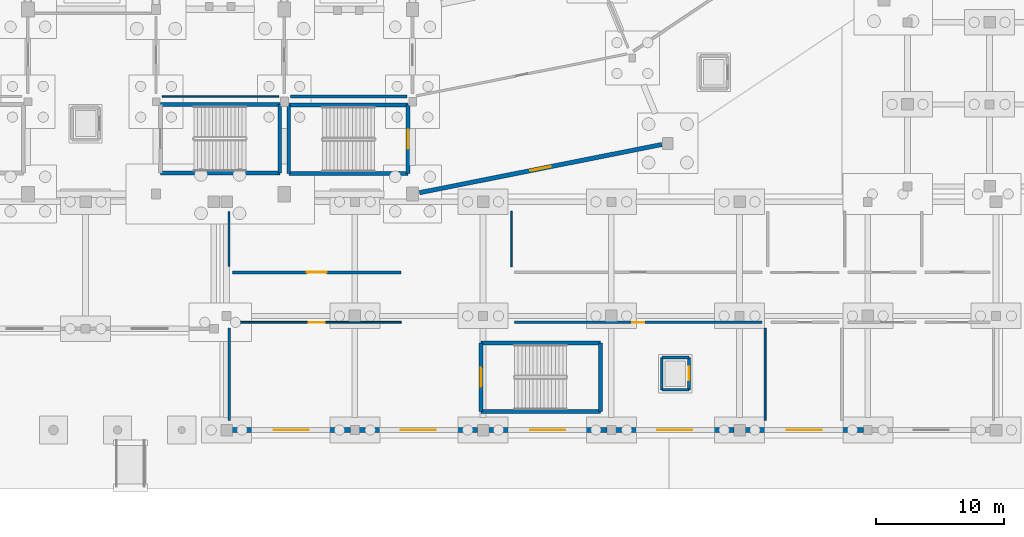
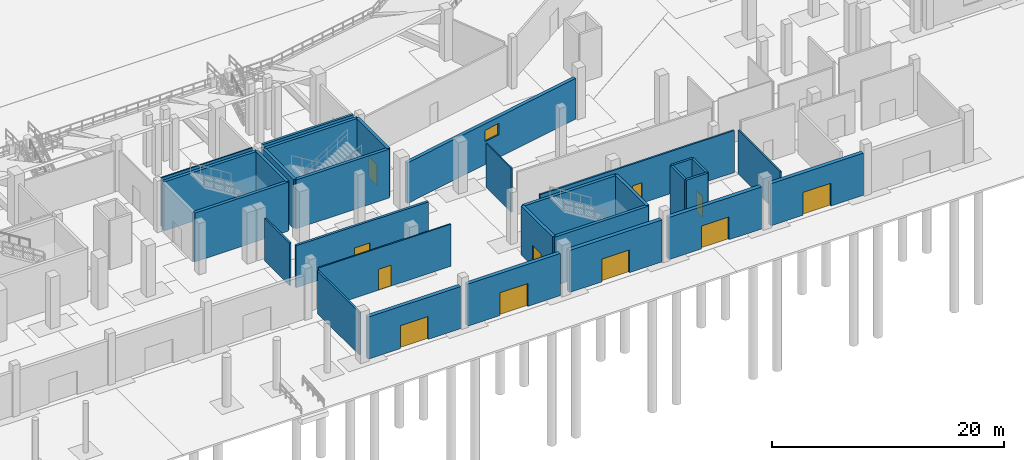
# One storey, part 31 of 68: 30 walls, 11 doors, 1 window, 12 openings.
"""IFC4 building model written with IfcOpenShell, lengths in metres."""

from ifc_helpers import new_model, si_unit, direction, frame, frame_2d, origin, place, context, subcontext, project, spatial, rectangle, extrude, material, layer, layer_set, type_object, element, fill, save


model = new_model("IFC4")

# Units and contexts
model_context = context("Model", 3, precision=1e-05, world=origin(), true_north=direction((0.0, 1.0)))
body_context = subcontext(model_context, "Body", "Model", "MODEL_VIEW")
ifc_project = project(units=[si_unit("LENGTHUNIT", "METRE"), si_unit("AREAUNIT", "SQUARE_METRE"), si_unit("VOLUMEUNIT", "CUBIC_METRE"), si_unit("PLANEANGLEUNIT", "RADIAN"), si_unit("MASSUNIT", "GRAM", prefix="KILO")], contexts=[model_context])

# Site, building, storey
site_placement = place(None, origin())
site = spatial("IfcSite", under=ifc_project, at=site_placement, CompositionType="ELEMENT")
building_placement = place(site_placement, origin())
building = spatial("IfcBuilding", under=site, at=building_placement, Name="Candeia Ridge Stadium", CompositionType="ELEMENT")
storey_placement = place(building_placement, origin())
storey = spatial("IfcBuildingStorey", under=building, at=storey_placement, Name="L00", CompositionType="ELEMENT", Elevation=0.0)

# Walls
ifc_material_1 = material(Name="Concrete Masonry Blockwork C25/30", Category="masonry")
ifc_layer_1 = layer(ifc_material_1, 0.14990234375, Name="Concrete Masonry Blockwork C25/30", Category="masonry")
ifc_layer_set_1 = layer_set([ifc_layer_1], Name="Concrete Masonry Blockwork C25/30")
wall_type_1 = type_object("IfcWallType", Name="Concourse Kiosk Partition 150", PredefinedType="PARTITIONING", material=ifc_layer_set_1)
wall_1_placement = place(storey_placement, frame((168.5, 8.550048828125, 0.0), z_axis=(0.0, 0.0, 1.0), x_axis=(0.0, -1.0, 0.0)))
element("IfcWall", 1, at=wall_1_placement, inside=storey, type_object=wall_type_1, Name="Demising partition PT-L00-0069", PredefinedType="PARTITIONING", context=body_context, shape_type="SweptSolid", body=[
    extrude(rectangle(XDim=7.199951171875, YDim=0.14990234375, at=frame_2d((3.60009765625, 0.0))), origin(), (0.0, 0.0, 1.0), 4.625),
])
ifc_material_2 = material(Name="Concrete C45/55", Category="concrete")
ifc_layer_2 = layer(ifc_material_2, 0.300048828125, Name="Concrete C45/55", Category="concrete")
ifc_layer_set_2 = layer_set([ifc_layer_2], Name="Concrete C45/55")
wall_type_2 = type_object("IfcWallType", Name="Core Shear Wall Concrete 300", PredefinedType="SHEAR", material=ifc_layer_set_2)
wall_2_placement = place(storey_placement, frame((140.649658203125, 25.94970703125, 0.0), z_axis=(0.0, 0.0, 1.0), x_axis=(-1.0, 0.0, 0.0)))
element("IfcWall", 2, at=wall_2_placement, inside=storey, type_object=wall_type_2, Name="Core C03 left shear wall L00", PredefinedType="SHEAR", context=body_context, shape_type="SweptSolid", body=[
    extrude(rectangle(XDim=9.29931640625, YDim=0.300048828125, at=frame_2d((4.649658203125, 0.0))), origin(), (0.0, 0.0, 1.0), 5.139892578125),
])
wall_3_placement = place(storey_placement, frame((131.350341796875, 25.94970703125, 0.0), z_axis=(0.0, 0.0, 1.0), x_axis=(0.0, -1.0, 0.0)))
element("IfcWall", 3, at=wall_3_placement, inside=storey, type_object=wall_type_2, Name="Core C03 far shear wall L00", PredefinedType="SHEAR", context=body_context, shape_type="SweptSolid", body=[
    extrude(rectangle(XDim=5.349365234375, YDim=0.300048828125, at=frame_2d((2.6748046875, 0.0))), origin(), (0.0, 0.0, 1.0), 5.139892578125),
])
wall_4_placement = place(storey_placement, frame((131.350341796875, 20.600341796875, 0.0), z_axis=(0.0, 0.0, 1.0), x_axis=(1.0, 0.0, 0.0)))
element("IfcWall", 4, at=wall_4_placement, inside=storey, type_object=wall_type_2, Name="Core C03 right shear wall L00", PredefinedType="SHEAR", context=body_context, shape_type="SweptSolid", body=[
    extrude(rectangle(XDim=9.29931640625, YDim=0.300048828125, at=frame_2d((4.649658203125, 0.0))), origin(), (0.0, 0.0, 1.0), 5.139892578125),
])

# Wall, opening, door
wall_5_placement = place(storey_placement, frame((140.649658203125, 20.600341796875, 0.0), z_axis=(0.0, 0.0, 1.0), x_axis=(0.0, 1.0, 0.0)))
wall_5 = element("IfcWall", 5, at=wall_5_placement, inside=storey, type_object=wall_type_2, Name="Core C03 near shear wall L00", PredefinedType="SHEAR", context=body_context, shape_type="SweptSolid", body=[
    extrude(rectangle(XDim=5.349365234375, YDim=0.300048828125, at=frame_2d((2.6748046875, 0.0))), origin(), (0.0, 0.0, 1.0), 5.139892578125),
])
opening_1_placement = place(wall_5_placement, frame((1.924560546875, 0.0, 0.0)))
opening_1 = element("IfcOpeningElement", 6, at=opening_1_placement, cuts=wall_5, Name="Opening FD01", PredefinedType="OPENING", context=body_context, shape_type="SweptSolid", body=[
    extrude(rectangle(XDim=1.5, YDim=2.199951171875, at=frame_2d((0.75, 1.10009765625))), frame((0.0, 0.159912109375, 0.0), z_axis=(0.0, -1.0, 0.0), x_axis=(1.0, 0.0, 0.0)), (0.0, 0.0, 1.0), 0.320068359375),
])
ifc_material_3 = material(Name="Galvanized Fire-Rated Steel", Category="steel")
door_type_1 = type_object("IfcDoorType", Name="Exit Stair Core Fire Door 1500x2200", OperationType="NOTDEFINED", PredefinedType="DOOR", material=ifc_material_3)
door_1_placement = place(opening_1_placement, frame((1.5, 0.0, 0.0), z_axis=(0.0, 0.0, 1.0), x_axis=(-1.0, 0.0, 0.0)))
door_1 = element("IfcDoor", 7, at=door_1_placement, inside=storey, type_object=door_type_1, Name="Exit stair fire door SD-ST03-L00", OperationType="DOUBLE_DOOR_SINGLE_SWING", OverallHeight=2.199951171875, OverallWidth=1.5, PredefinedType="DOOR", context=body_context, shape_type="SweptSolid", body=[
    extrude(rectangle(XDim=1.5, YDim=2.199951171875, at=frame_2d((0.75, 1.10009765625))), frame((0.0, 0.02490234375, 0.0), z_axis=(0.0, -1.0, 0.0), x_axis=(1.0, 0.0, 0.0)), (0.0, 0.0, 1.0), 0.050048828125),
])
fill(opening_1, door_1)

# Walls
wall_6_placement = place(storey_placement, frame((121.350341796875, 20.650390625, 0.0), z_axis=(0.0, 0.0, 1.0), x_axis=(1.0, 0.0, 0.0)))
element("IfcWall", 8, at=wall_6_placement, inside=storey, type_object=wall_type_2, Name="Core C12 left shear wall L00", PredefinedType="SHEAR", context=body_context, shape_type="SweptSolid", body=[
    extrude(rectangle(XDim=9.29931640625, YDim=0.300048828125, at=frame_2d((4.649658203125, 0.0))), origin(), (0.0, 0.0, 1.0), 5.139892578125),
])
wall_7_placement = place(storey_placement, frame((130.649658203125, 20.650390625, 0.0), z_axis=(0.0, 0.0, 1.0), x_axis=(0.0, 1.0, 0.0)))
element("IfcWall", 9, at=wall_7_placement, inside=storey, type_object=wall_type_2, Name="Core C12 far shear wall L00", PredefinedType="SHEAR", context=body_context, shape_type="SweptSolid", body=[
    extrude(rectangle(XDim=5.34912109375, YDim=0.300048828125, at=frame_2d((2.674560546875, 0.0))), origin(), (0.0, 0.0, 1.0), 5.139892578125),
])
for number, where, z_axis, x_axis, name in (
    (10, (130.649658203125, 25.99951171875, 0.0), (0.0, 0.0, 1.0), (-1.0, 0.0, 0.0), "Core C12 right shear wall L00"),
    (11, (146.350341796875, 2.05029296875, 0.0), (0.0, 0.0, 1.0), (1.0, 0.0, 0.0), "Core C14 left shear wall L00"),
):
    element("IfcWall", number, at=place(storey_placement, frame(where, z_axis=z_axis, x_axis=x_axis)), inside=storey, type_object=wall_type_2, Name=name, PredefinedType="SHEAR", context=body_context, shape_type="SweptSolid", body=[
        extrude(rectangle(XDim=9.29931640625, YDim=0.300048828125, at=frame_2d((4.649658203125, 0.0))), origin(), (0.0, 0.0, 1.0), 5.139892578125),
    ])
wall_8_placement = place(storey_placement, frame((155.649658203125, 2.05029296875, 0.0), z_axis=(0.0, 0.0, 1.0), x_axis=(0.0, 1.0, 0.0)))
element("IfcWall", 12, at=wall_8_placement, inside=storey, type_object=wall_type_2, Name="Core C14 far shear wall L00", PredefinedType="SHEAR", context=body_context, shape_type="SweptSolid", body=[
    extrude(rectangle(XDim=5.349365234375, YDim=0.300048828125, at=frame_2d((2.6748046875, 0.0))), origin(), (0.0, 0.0, 1.0), 5.139892578125),
])
wall_9_placement = place(storey_placement, frame((155.649658203125, 7.399658203125, 0.0), z_axis=(0.0, 0.0, 1.0), x_axis=(-1.0, 0.0, 0.0)))
element("IfcWall", 13, at=wall_9_placement, inside=storey, type_object=wall_type_2, Name="Core C14 right shear wall L00", PredefinedType="SHEAR", context=body_context, shape_type="SweptSolid", body=[
    extrude(rectangle(XDim=9.29931640625, YDim=0.300048828125, at=frame_2d((4.649658203125, 0.0))), origin(), (0.0, 0.0, 1.0), 5.139892578125),
])

# Wall, opening, door
wall_10_placement = place(storey_placement, frame((146.350341796875, 7.399658203125, 0.0), z_axis=(0.0, 0.0, 1.0), x_axis=(0.0, -1.0, 0.0)))
wall_10 = element("IfcWall", 14, at=wall_10_placement, inside=storey, type_object=wall_type_2, Name="Core C14 near shear wall L00", PredefinedType="SHEAR", context=body_context, shape_type="SweptSolid", body=[
    extrude(rectangle(XDim=5.349365234375, YDim=0.300048828125, at=frame_2d((2.6748046875, 0.0))), origin(), (0.0, 0.0, 1.0), 5.139892578125),
])
opening_2_placement = place(wall_10_placement, frame((1.924560546875, 0.0, 0.0)))
opening_2 = element("IfcOpeningElement", 15, at=opening_2_placement, cuts=wall_10, Name="Opening FD01", PredefinedType="OPENING", context=body_context, shape_type="SweptSolid", body=[
    extrude(rectangle(XDim=1.5, YDim=2.199951171875, at=frame_2d((0.75, 1.10009765625))), frame((0.0, 0.159912109375, 0.0), z_axis=(0.0, -1.0, 0.0), x_axis=(1.0, 0.0, 0.0)), (0.0, 0.0, 1.0), 0.320068359375),
])
door_2_placement = place(opening_2_placement, frame((1.5, 0.0, 0.0), z_axis=(0.0, 0.0, 1.0), x_axis=(-1.0, 0.0, 0.0)))
door_2 = element("IfcDoor", 16, at=door_2_placement, inside=storey, type_object=door_type_1, Name="Exit stair fire door SD-ST14-L00", OperationType="DOUBLE_DOOR_SINGLE_SWING", OverallHeight=2.199951171875, OverallWidth=1.5, PredefinedType="DOOR", context=body_context, shape_type="SweptSolid", body=[
    extrude(rectangle(XDim=1.5, YDim=2.199951171875, at=frame_2d((0.75, 1.10009765625))), frame((0.0, 0.02490234375, 0.0), z_axis=(0.0, -1.0, 0.0), x_axis=(1.0, 0.0, 0.0)), (0.0, 0.0, 1.0), 0.050048828125),
])
fill(opening_2, door_2)

ifc_material_4 = material(Name="Moisture-Resistant Masonry & Tile", Category="masonry")
ifc_layer_3 = layer(ifc_material_4, 0.22998046875, Name="Moisture-Resistant Masonry & Tile", Category="masonry")
ifc_layer_set_3 = layer_set([ifc_layer_3], Name="Moisture-Resistant Masonry & Tile")
wall_type_3 = type_object("IfcWallType", Name="Dressing Suite Wet-Wall Chase 230", PredefinedType="PLUMBINGWALL", material=ifc_layer_set_3)
wall_11_placement = place(storey_placement, frame((140.110107421875, 12.89990234375, 0.0), z_axis=(0.0, 0.0, 1.0), x_axis=(-1.0, 0.0, 0.0)))
wall_11 = element("IfcWall", 17, at=wall_11_placement, inside=storey, type_object=wall_type_3, Name="Interior partition PT-L00-0066", PredefinedType="PLUMBINGWALL", context=body_context, shape_type="SweptSolid", body=[
    extrude(rectangle(XDim=13.16015625, YDim=0.22998046875, at=frame_2d((6.580078125, 0.0))), origin(), (0.0, 0.0, 1.0), 4.425048828125),
])
opening_3_placement = place(wall_11_placement, frame((5.804931640625, 0.0, 0.0)))
opening_3 = element("IfcOpeningElement", 18, at=opening_3_placement, cuts=wall_11, Name="Opening ID14", PredefinedType="OPENING", context=body_context, shape_type="SweptSolid", body=[
    extrude(rectangle(XDim=1.550048828125, YDim=2.14990234375, at=frame_2d((0.77490234375, 1.074951171875))), frame((0.0, 0.125, 0.0), z_axis=(0.0, -1.0, 0.0), x_axis=(1.0, 0.0, 0.0)), (0.0, 0.0, 1.0), 0.25),
])
ifc_material_5 = material(Name="Brushed Stainless Steel", Category="steel")
door_type_2 = type_object("IfcDoorType", Name="Catering Kitchen Double Door 1550x2150", OperationType="NOTDEFINED", PredefinedType="DOOR", material=ifc_material_5)
door_3_placement = place(opening_3_placement, origin())
door_3 = element("IfcDoor", 19, at=door_3_placement, inside=storey, type_object=door_type_2, Name="Interior room door D-L00-0036", OperationType="DOUBLE_DOOR_SINGLE_SWING", OverallHeight=2.14990234375, OverallWidth=1.550048828125, PredefinedType="DOOR", context=body_context, shape_type="SweptSolid", body=[
    extrude(rectangle(XDim=1.550048828125, YDim=2.14990234375, at=frame_2d((0.77490234375, 1.074951171875))), frame((0.0, 0.02490234375, 0.0), z_axis=(0.0, -1.0, 0.0), x_axis=(1.0, 0.0, 0.0)), (0.0, 0.0, 1.0), 0.050048828125),
])
fill(opening_3, door_3)

# Wall
wall_12_placement = place(storey_placement, frame((140.550048828125, 26.60009765625, 0.0), z_axis=(0.0, 0.0, 1.0), x_axis=(-1.0, 0.0, 0.0)))
element("IfcWall", 20, at=wall_12_placement, inside=storey, type_object=wall_type_3, Name="Demising partition PT-L00-0157", PredefinedType="PLUMBINGWALL", context=body_context, shape_type="SweptSolid", body=[
    extrude(rectangle(XDim=9.06005859375, YDim=0.22998046875, at=frame_2d((4.530029296875, 0.0))), origin(), (0.0, 0.0, 1.0), 5.1201171875),
])

# Wall, opening, window
ifc_material_6 = material(Name="Concrete C40/50", Category="concrete")
ifc_layer_4 = layer(ifc_material_6, 0.340087890625, Name="Concrete C40/50", Category="concrete")
ifc_layer_set_4 = layer_set([ifc_layer_4], Name="Concrete C40/50")
wall_type_4 = type_object("IfcWallType", Name="Exterior Acoustic Bowl Plinth Wall 340", PredefinedType="SOLIDWALL", material=ifc_layer_set_4)
wall_13_placement = place(storey_placement, frame((141.55029296875, 19.109619140625, 0.0), z_axis=(0.0, 0.0, 1.0), x_axis=(0.980787488403, 0.195079221324, 0.0)))
wall_13 = element("IfcWall", 21, at=wall_13_placement, inside=storey, type_object=wall_type_4, Name="Bowl plinth exterior wall EW-L00-0005", PredefinedType="SOLIDWALL", context=body_context, shape_type="SweptSolid", body=[
    extrude(rectangle(XDim=19.24560546875, YDim=0.340087890625, at=frame_2d((9.622802734375, 0.0))), origin(), (0.0, 0.0, 1.0), 4.27490234375),
])
opening_4_placement = place(wall_13_placement, frame((8.82275390625, 0.0, 2.39990234375)))
opening_4 = element("IfcOpeningElement", 22, at=opening_4_placement, cuts=wall_13, Name="Opening W15", PredefinedType="OPENING", context=body_context, shape_type="SweptSolid", body=[
    extrude(rectangle(XDim=1.60009765625, YDim=1.199951171875, at=frame_2d((0.800048828125, 0.60009765625))), frame((0.0, 0.179931640625, 0.0), z_axis=(0.0, -1.0, 0.0), x_axis=(1.0, 0.0, 0.0)), (0.0, 0.0, 1.0), 0.360107421875),
])
ifc_material_7 = material(Name="Tempered Solar-Control Double Glazing", Category="glass")
window_type = type_object("IfcWindowType", Name="Plant Acoustic Louvre Window 1600x1200", PartitioningType="SINGLE_PANEL", PredefinedType="WINDOW", material=ifc_material_7)
window_placement = place(opening_4_placement, origin())
window = element("IfcWindow", 23, at=window_placement, inside=storey, type_object=window_type, Name="Bowl plinth louvre window WIN-BWL-005", OverallHeight=1.199951171875, OverallWidth=1.60009765625, PartitioningType="SINGLE_PANEL", PredefinedType="WINDOW", context=body_context, shape_type="SweptSolid", body=[
    extrude(rectangle(XDim=1.60009765625, YDim=1.199951171875, at=frame_2d((0.800048828125, 0.60009765625))), frame((0.0, 0.030029296875, 0.0), z_axis=(0.0, -1.0, 0.0), x_axis=(1.0, 0.0, 0.0)), (0.0, 0.0, 1.0), 0.06005859375),
])
fill(opening_4, window)

# Wall, opening, door
ifc_layer_5 = layer(ifc_material_6, 0.3798828125, Name="Concrete C40/50", Category="concrete")
ifc_layer_set_5 = layer_set([ifc_layer_5], Name="Concrete C40/50")
wall_type_5 = type_object("IfcWallType", Name="Exterior Museum Gallery Wall 380", PredefinedType="SOLIDWALL", material=ifc_layer_set_5)
wall_14_placement = place(storey_placement, frame((126.93798828125, 0.60009765625, 0.0), z_axis=(0.0, 0.0, 1.0), x_axis=(1.0, 0.0, 0.0)))
wall_14 = element("IfcWall", 24, at=wall_14_placement, inside=storey, type_object=wall_type_5, Name="Exterior facade wall EW-L00-0160", PredefinedType="SOLIDWALL", context=body_context, shape_type="SweptSolid", body=[
    extrude(rectangle(XDim=9.22412109375, YDim=0.3798828125, at=frame_2d((4.612060546875, 0.0))), origin(), (0.0, 0.0, 1.0), 4.425048828125),
])
opening_5_placement = place(wall_14_placement, frame((3.237060546875, 0.0, 0.0)))
opening_5 = element("IfcOpeningElement", 25, at=opening_5_placement, cuts=wall_14, Name="Opening ED01", PredefinedType="OPENING", context=body_context, shape_type="SweptSolid", body=[
    extrude(rectangle(XDim=2.75, YDim=2.39990234375, at=frame_2d((1.375, 1.199951171875))), frame((0.0, 0.199951171875, 0.0), z_axis=(0.0, -1.0, 0.0), x_axis=(1.0, 0.0, 0.0)), (0.0, 0.0, 1.0), 0.39990234375),
])
ifc_material_8 = material(Name="Aluminium Anodized Glazed Door", Category="aluminium")
door_type_3 = type_object("IfcDoorType", Name="Pedestrian Exit Double Door 2750x2400", OperationType="NOTDEFINED", PredefinedType="DOOR", material=ifc_material_8)
door_4_placement = place(opening_5_placement, frame((2.75, 0.0, 0.0), z_axis=(0.0, 0.0, 1.0), x_axis=(-1.0, 0.0, 0.0)))
door_4 = element("IfcDoor", 26, at=door_4_placement, inside=storey, type_object=door_type_3, Name="Pedestrian exit gate G21", OperationType="DOUBLE_DOOR_SINGLE_SWING", OverallHeight=2.39990234375, OverallWidth=2.75, PredefinedType="DOOR", context=body_context, shape_type="SweptSolid", body=[
    extrude(rectangle(XDim=2.75, YDim=2.39990234375, at=frame_2d((1.375, 1.199951171875))), frame((0.0, 0.02490234375, 0.0), z_axis=(0.0, -1.0, 0.0), x_axis=(1.0, 0.0, 0.0)), (0.0, 0.0, 1.0), 0.050048828125),
])
fill(opening_5, door_4)

wall_15_placement = place(storey_placement, frame((136.837890625, 0.60009765625, 0.0), z_axis=(0.0, 0.0, 1.0), x_axis=(1.0, 0.0, 0.0)))
wall_15 = element("IfcWall", 27, at=wall_15_placement, inside=storey, type_object=wall_type_5, Name="Exterior facade wall EW-L00-0161", PredefinedType="SOLIDWALL", context=body_context, shape_type="SweptSolid", body=[
    extrude(rectangle(XDim=9.22412109375, YDim=0.3798828125, at=frame_2d((4.612060546875, 0.0))), origin(), (0.0, 0.0, 1.0), 4.425048828125),
])
opening_6_placement = place(wall_15_placement, frame((3.237060546875, 0.0, 0.0)))
opening_6 = element("IfcOpeningElement", 28, at=opening_6_placement, cuts=wall_15, Name="Opening ED01", PredefinedType="OPENING", context=body_context, shape_type="SweptSolid", body=[
    extrude(rectangle(XDim=2.75, YDim=2.39990234375, at=frame_2d((1.375, 1.199951171875))), frame((0.0, 0.199951171875, 0.0), z_axis=(0.0, -1.0, 0.0), x_axis=(1.0, 0.0, 0.0)), (0.0, 0.0, 1.0), 0.39990234375),
])
door_5_placement = place(opening_6_placement, frame((2.75, 0.0, 0.0), z_axis=(0.0, 0.0, 1.0), x_axis=(-1.0, 0.0, 0.0)))
door_5 = element("IfcDoor", 29, at=door_5_placement, inside=storey, type_object=door_type_3, Name="Pedestrian exit gate G22", OperationType="DOUBLE_DOOR_SINGLE_SWING", OverallHeight=2.39990234375, OverallWidth=2.75, PredefinedType="DOOR", context=body_context, shape_type="SweptSolid", body=[
    extrude(rectangle(XDim=2.75, YDim=2.39990234375, at=frame_2d((1.375, 1.199951171875))), frame((0.0, 0.02490234375, 0.0), z_axis=(0.0, -1.0, 0.0), x_axis=(1.0, 0.0, 0.0)), (0.0, 0.0, 1.0), 0.050048828125),
])
fill(opening_6, door_5)

wall_16_placement = place(storey_placement, frame((146.93798828125, 0.60009765625, 0.0), z_axis=(0.0, 0.0, 1.0), x_axis=(1.0, 0.0, 0.0)))
wall_16 = element("IfcWall", 30, at=wall_16_placement, inside=storey, type_object=wall_type_5, Name="Exterior facade wall EW-L00-0162", PredefinedType="SOLIDWALL", context=body_context, shape_type="SweptSolid", body=[
    extrude(rectangle(XDim=9.22412109375, YDim=0.3798828125, at=frame_2d((4.612060546875, 0.0))), origin(), (0.0, 0.0, 1.0), 4.425048828125),
])
opening_7_placement = place(wall_16_placement, frame((3.237060546875, 0.0, 0.0)))
opening_7 = element("IfcOpeningElement", 31, at=opening_7_placement, cuts=wall_16, Name="Opening ED01", PredefinedType="OPENING", context=body_context, shape_type="SweptSolid", body=[
    extrude(rectangle(XDim=2.75, YDim=2.39990234375, at=frame_2d((1.375, 1.199951171875))), frame((0.0, 0.199951171875, 0.0), z_axis=(0.0, -1.0, 0.0), x_axis=(1.0, 0.0, 0.0)), (0.0, 0.0, 1.0), 0.39990234375),
])
door_6_placement = place(opening_7_placement, frame((2.75, 0.0, 0.0), z_axis=(0.0, 0.0, 1.0), x_axis=(-1.0, 0.0, 0.0)))
door_6 = element("IfcDoor", 32, at=door_6_placement, inside=storey, type_object=door_type_3, Name="Pedestrian exit gate G23", OperationType="DOUBLE_DOOR_SINGLE_SWING", OverallHeight=2.39990234375, OverallWidth=2.75, PredefinedType="DOOR", context=body_context, shape_type="SweptSolid", body=[
    extrude(rectangle(XDim=2.75, YDim=2.39990234375, at=frame_2d((1.375, 1.199951171875))), frame((0.0, 0.02490234375, 0.0), z_axis=(0.0, -1.0, 0.0), x_axis=(1.0, 0.0, 0.0)), (0.0, 0.0, 1.0), 0.050048828125),
])
fill(opening_7, door_6)

wall_17_placement = place(storey_placement, frame((156.837890625, 0.60009765625, 0.0), z_axis=(0.0, 0.0, 1.0), x_axis=(1.0, 0.0, 0.0)))
wall_17 = element("IfcWall", 33, at=wall_17_placement, inside=storey, type_object=wall_type_5, Name="Exterior facade wall EW-L00-0163", PredefinedType="SOLIDWALL", context=body_context, shape_type="SweptSolid", body=[
    extrude(rectangle(XDim=9.22412109375, YDim=0.3798828125, at=frame_2d((4.612060546875, 0.0))), origin(), (0.0, 0.0, 1.0), 4.425048828125),
])
opening_8_placement = place(wall_17_placement, frame((3.237060546875, 0.0, 0.0)))
opening_8 = element("IfcOpeningElement", 34, at=opening_8_placement, cuts=wall_17, Name="Opening ED01", PredefinedType="OPENING", context=body_context, shape_type="SweptSolid", body=[
    extrude(rectangle(XDim=2.75, YDim=2.39990234375, at=frame_2d((1.375, 1.199951171875))), frame((0.0, 0.199951171875, 0.0), z_axis=(0.0, -1.0, 0.0), x_axis=(1.0, 0.0, 0.0)), (0.0, 0.0, 1.0), 0.39990234375),
])
door_7_placement = place(opening_8_placement, frame((2.75, 0.0, 0.0), z_axis=(0.0, 0.0, 1.0), x_axis=(-1.0, 0.0, 0.0)))
door_7 = element("IfcDoor", 35, at=door_7_placement, inside=storey, type_object=door_type_3, Name="Pedestrian exit gate G24", OperationType="DOUBLE_DOOR_SINGLE_SWING", OverallHeight=2.39990234375, OverallWidth=2.75, PredefinedType="DOOR", context=body_context, shape_type="SweptSolid", body=[
    extrude(rectangle(XDim=2.75, YDim=2.39990234375, at=frame_2d((1.375, 1.199951171875))), frame((0.0, 0.02490234375, 0.0), z_axis=(0.0, -1.0, 0.0), x_axis=(1.0, 0.0, 0.0)), (0.0, 0.0, 1.0), 0.050048828125),
])
fill(opening_8, door_7)

wall_18_placement = place(storey_placement, frame((166.93798828125, 0.60009765625, 0.0), z_axis=(0.0, 0.0, 1.0), x_axis=(1.0, 0.0, 0.0)))
wall_18 = element("IfcWall", 36, at=wall_18_placement, inside=storey, type_object=wall_type_5, Name="Exterior facade wall EW-L00-0164", PredefinedType="SOLIDWALL", context=body_context, shape_type="SweptSolid", body=[
    extrude(rectangle(XDim=9.22412109375, YDim=0.3798828125, at=frame_2d((4.612060546875, 0.0))), origin(), (0.0, 0.0, 1.0), 4.425048828125),
])
opening_9_placement = place(wall_18_placement, frame((3.237060546875, 0.0, 0.0)))
opening_9 = element("IfcOpeningElement", 37, at=opening_9_placement, cuts=wall_18, Name="Opening ED01", PredefinedType="OPENING", context=body_context, shape_type="SweptSolid", body=[
    extrude(rectangle(XDim=2.75, YDim=2.39990234375, at=frame_2d((1.375, 1.199951171875))), frame((0.0, 0.199951171875, 0.0), z_axis=(0.0, -1.0, 0.0), x_axis=(1.0, 0.0, 0.0)), (0.0, 0.0, 1.0), 0.39990234375),
])
door_8_placement = place(opening_9_placement, frame((2.75, 0.0, 0.0), z_axis=(0.0, 0.0, 1.0), x_axis=(-1.0, 0.0, 0.0)))
door_8 = element("IfcDoor", 38, at=door_8_placement, inside=storey, type_object=door_type_3, Name="Pedestrian exit gate G25", OperationType="DOUBLE_DOOR_SINGLE_SWING", OverallHeight=2.39990234375, OverallWidth=2.75, PredefinedType="DOOR", context=body_context, shape_type="SweptSolid", body=[
    extrude(rectangle(XDim=2.75, YDim=2.39990234375, at=frame_2d((1.375, 1.199951171875))), frame((0.0, 0.02490234375, 0.0), z_axis=(0.0, -1.0, 0.0), x_axis=(1.0, 0.0, 0.0)), (0.0, 0.0, 1.0), 0.050048828125),
])
fill(opening_9, door_8)

ifc_material_9 = material(Name="Gypsum Metal-Stud Partition", Category="gypsum")
ifc_layer_6 = layer(ifc_material_9, 0.135009765625, Name="Gypsum Metal-Stud Partition", Category="gypsum")
ifc_layer_set_6 = layer_set([ifc_layer_6], Name="Gypsum Metal-Stud Partition")
wall_type_6 = type_object("IfcWallType", Name="General Room Partition 135", PredefinedType="PARTITIONING", material=ifc_layer_set_6)
wall_19_placement = place(storey_placement, frame((126.949951171875, 9.0, 0.0), z_axis=(0.0, 0.0, 1.0), x_axis=(1.0, 0.0, 0.0)))
wall_19 = element("IfcWall", 39, at=wall_19_placement, inside=storey, type_object=wall_type_6, Name="Interior partition PT-L00-0064", PredefinedType="PARTITIONING", context=body_context, shape_type="SweptSolid", body=[
    extrude(rectangle(XDim=13.16015625, YDim=0.135009765625, at=frame_2d((6.580078125, 0.0))), origin(), (0.0, 0.0, 1.0), 4.425048828125),
])
opening_10_placement = place(wall_19_placement, frame((5.955078125, 0.0, 0.0)))
opening_10 = element("IfcOpeningElement", 40, at=opening_10_placement, cuts=wall_19, Name="Opening ID11", PredefinedType="OPENING", context=body_context, shape_type="SweptSolid", body=[
    extrude(rectangle(XDim=1.25, YDim=2.199951171875, at=frame_2d((0.625, 1.10009765625))), frame((0.0, 0.077392578125, 0.0), z_axis=(0.0, -1.0, 0.0), x_axis=(1.0, 0.0, 0.0)), (0.0, 0.0, 1.0), 0.155029296875),
])
ifc_material_10 = material(Name="Acoustic Timber Studio Leaf", Category="wood")
door_type_4 = type_object("IfcDoorType", Name="Press Tribune Acoustic Door 1250x2200", OperationType="NOTDEFINED", PredefinedType="DOOR", material=ifc_material_10)
door_9_placement = place(opening_10_placement, frame((1.25, 0.0, 0.0), z_axis=(0.0, 0.0, 1.0), x_axis=(-1.0, 0.0, 0.0)))
door_9 = element("IfcDoor", 41, at=door_9_placement, inside=storey, type_object=door_type_4, Name="Interior room door D-L00-0035", OperationType="SINGLE_SWING_LEFT", OverallHeight=2.199951171875, OverallWidth=1.25, PredefinedType="DOOR", context=body_context, shape_type="SweptSolid", body=[
    extrude(rectangle(XDim=1.25, YDim=2.199951171875, at=frame_2d((0.625, 1.10009765625))), frame((0.0, 0.02490234375, 0.0), z_axis=(0.0, -1.0, 0.0), x_axis=(1.0, 0.0, 0.0)), (0.0, 0.0, 1.0), 0.050048828125),
])
fill(opening_10, door_9)

# Walls
ifc_material_11 = material(Name="Gypsum Acoustic Twin-Stud Assembly", Category="gypsum")
ifc_layer_7 = layer(ifc_material_11, 0.1650390625, Name="Gypsum Acoustic Twin-Stud Assembly", Category="gypsum")
ifc_layer_set_7 = layer_set([ifc_layer_7], Name="Gypsum Acoustic Twin-Stud Assembly")
wall_type_7 = type_object("IfcWallType", Name="Hospitality Suite Acoustic Wall 165", PredefinedType="PARTITIONING", material=ifc_layer_set_7)
wall_20_placement = place(storey_placement, frame((126.699951171875, 13.35009765625, 0.0), z_axis=(0.0, 0.0, 1.0), x_axis=(0.0, 1.0, 0.0)))
element("IfcWall", 42, at=wall_20_placement, inside=storey, type_object=wall_type_7, Name="Demising partition PT-L00-0067", PredefinedType="PARTITIONING", context=body_context, shape_type="SweptSolid", body=[
    extrude(rectangle(XDim=4.2998046875, YDim=0.1650390625, at=frame_2d((2.14990234375, 0.0))), origin(), (0.0, 0.0, 1.0), 4.47509765625),
])
ifc_layer_8 = layer(ifc_material_6, 0.219970703125, Name="Concrete C40/50", Category="concrete")
ifc_layer_set_8 = layer_set([ifc_layer_8], Name="Concrete C40/50")
wall_type_8 = type_object("IfcWallType", Name="Lift & Riser Shaft Wall 220", PredefinedType="SHEAR", material=ifc_layer_set_8)
wall_21_placement = place(storey_placement, frame((160.43994140625, 3.739990234375, -1.10009765625), z_axis=(0.0, 0.0, 1.0), x_axis=(1.0, 0.0, 0.0)))
element("IfcWall", 43, at=wall_21_placement, inside=storey, type_object=wall_type_8, Name="Lift PL6 shaft wall L00 south", PredefinedType="SHEAR", context=body_context, shape_type="SweptSolid", body=[
    extrude(rectangle(XDim=2.1201171875, YDim=0.219970703125, at=frame_2d((1.06005859375, 0.0))), origin(), (0.0, 0.0, 1.0), 6.239990234375),
])

# Wall, opening, door
wall_22_placement = place(storey_placement, frame((162.56005859375, 3.739990234375, -1.10009765625), z_axis=(0.0, 0.0, 1.0), x_axis=(0.0, 1.0, 0.0)))
wall_22 = element("IfcWall", 44, at=wall_22_placement, inside=storey, type_object=wall_type_8, Name="Lift PL6 shaft wall L00 east", PredefinedType="SHEAR", context=body_context, shape_type="SweptSolid", body=[
    extrude(rectangle(XDim=2.52001953125, YDim=0.219970703125, at=frame_2d((1.260009765625, 0.0))), origin(), (0.0, 0.0, 1.0), 6.239990234375),
])
opening_11_placement = place(wall_22_placement, frame((0.735107421875, 0.0, 1.10009765625)))
opening_11 = element("IfcOpeningElement", 45, at=opening_11_placement, cuts=wall_22, Name="Opening LD02", PredefinedType="OPENING", context=body_context, shape_type="SweptSolid", body=[
    extrude(rectangle(XDim=1.050048828125, YDim=2.14990234375, at=frame_2d((0.52490234375, 1.074951171875))), frame((0.0, 0.119873046875, 0.0), z_axis=(0.0, -1.0, 0.0), x_axis=(1.0, 0.0, 0.0)), (0.0, 0.0, 1.0), 0.239990234375),
])
door_type_5 = type_object("IfcDoorType", Name="Passenger Lift Landing Door 1050x2150", OperationType="NOTDEFINED", PredefinedType="DOOR", material=ifc_material_5)
door_10_placement = place(opening_11_placement, origin())
door_10 = element("IfcDoor", 46, at=door_10_placement, inside=storey, type_object=door_type_5, Name="Lift landing sliding door LD-PL6-L00", OperationType="DOUBLE_DOOR_SLIDING", OverallHeight=2.14990234375, OverallWidth=1.050048828125, PredefinedType="DOOR", context=body_context, shape_type="SweptSolid", body=[
    extrude(rectangle(XDim=1.050048828125, YDim=2.14990234375, at=frame_2d((0.52490234375, 1.074951171875))), frame((0.0, 0.02490234375, 0.0), z_axis=(0.0, -1.0, 0.0), x_axis=(1.0, 0.0, 0.0)), (0.0, 0.0, 1.0), 0.050048828125),
])
fill(opening_11, door_10)

# Walls
wall_23_placement = place(storey_placement, frame((162.56005859375, 6.260009765625, -1.10009765625), z_axis=(0.0, 0.0, 1.0), x_axis=(-1.0, 0.0, 0.0)))
element("IfcWall", 47, at=wall_23_placement, inside=storey, type_object=wall_type_8, Name="Lift PL6 shaft wall L00 north", PredefinedType="SHEAR", context=body_context, shape_type="SweptSolid", body=[
    extrude(rectangle(XDim=2.1201171875, YDim=0.219970703125, at=frame_2d((1.06005859375, 0.0))), origin(), (0.0, 0.0, 1.0), 6.239990234375),
])
wall_24_placement = place(storey_placement, frame((160.43994140625, 6.260009765625, -1.10009765625), z_axis=(0.0, 0.0, 1.0), x_axis=(0.0, -1.0, 0.0)))
element("IfcWall", 48, at=wall_24_placement, inside=storey, type_object=wall_type_8, Name="Lift PL6 shaft wall L00 west", PredefinedType="SHEAR", context=body_context, shape_type="SweptSolid", body=[
    extrude(rectangle(XDim=2.52001953125, YDim=0.219970703125, at=frame_2d((1.260009765625, 0.0))), origin(), (0.0, 0.0, 1.0), 6.239990234375),
])
ifc_material_12 = material(Name="Gypsum Acoustic Triple-Board Wall", Category="gypsum")
ifc_layer_9 = layer(ifc_material_12, 0.18505859375, Name="Gypsum Acoustic Triple-Board Wall", Category="gypsum")
ifc_layer_set_9 = layer_set([ifc_layer_9], Name="Gypsum Acoustic Triple-Board Wall")
wall_type_9 = type_object("IfcWallType", Name="Media Booth Studio Divider 185", PredefinedType="PARTITIONING", material=ifc_layer_set_9)
wall_25_placement = place(storey_placement, frame((126.699951171875, 1.35009765625, 0.0), z_axis=(0.0, 0.0, 1.0), x_axis=(0.0, 1.0, 0.0)))
element("IfcWall", 49, at=wall_25_placement, inside=storey, type_object=wall_type_9, Name="Demising partition PT-L00-0065", PredefinedType="PARTITIONING", context=body_context, shape_type="SweptSolid", body=[
    extrude(rectangle(XDim=7.199951171875, YDim=0.18505859375, at=frame_2d((3.60009765625, 0.0))), origin(), (0.0, 0.0, 1.0), 4.47509765625),
])

# Wall, opening, door
ifc_layer_10 = layer(ifc_material_11, 0.169921875, Name="Gypsum Acoustic Twin-Stud Assembly", Category="gypsum")
ifc_layer_set_10 = layer_set([ifc_layer_10], Name="Gypsum Acoustic Twin-Stud Assembly")
wall_type_10 = type_object("IfcWallType", Name="Skybox Demising Acoustic Wall 170", PredefinedType="PARTITIONING", material=ifc_layer_set_10)
wall_26_placement = place(storey_placement, frame((148.949951171875, 9.0, 0.0), z_axis=(0.0, 0.0, 1.0), x_axis=(1.0, 0.0, 0.0)))
wall_26 = element("IfcWall", 50, at=wall_26_placement, inside=storey, type_object=wall_type_10, Name="Interior partition PT-L00-0068", PredefinedType="PARTITIONING", context=body_context, shape_type="SweptSolid", body=[
    extrude(rectangle(XDim=19.300048828125, YDim=0.169921875, at=frame_2d((9.64990234375, 0.0))), origin(), (0.0, 0.0, 1.0), 4.425048828125),
])
opening_12_placement = place(wall_26_placement, frame((9.169921875, 0.0, 0.0)))
opening_12 = element("IfcOpeningElement", 51, at=opening_12_placement, cuts=wall_26, Name="Opening ID17", PredefinedType="OPENING", context=body_context, shape_type="SweptSolid", body=[
    extrude(rectangle(XDim=0.9599609375, YDim=2.14990234375, at=frame_2d((0.47998046875, 1.074951171875))), frame((0.0, 0.094970703125, 0.0), z_axis=(0.0, -1.0, 0.0), x_axis=(1.0, 0.0, 0.0)), (0.0, 0.0, 1.0), 0.18994140625),
])
ifc_material_13 = material(Name="Solid Core Cedar Veneer", Category="wood")
door_type_6 = type_object("IfcDoorType", Name="Ticketing Office Single Door 960x2150", OperationType="NOTDEFINED", PredefinedType="DOOR", material=ifc_material_13)
door_11_placement = place(opening_12_placement, frame((0.9599609375, 0.0, 0.0), z_axis=(0.0, 0.0, 1.0), x_axis=(-1.0, 0.0, 0.0)))
door_11 = element("IfcDoor", 52, at=door_11_placement, inside=storey, type_object=door_type_6, Name="Interior room door D-L00-0037", OperationType="SINGLE_SWING_RIGHT", OverallHeight=2.14990234375, OverallWidth=0.9599609375, PredefinedType="DOOR", context=body_context, shape_type="SweptSolid", body=[
    extrude(rectangle(XDim=0.9599609375, YDim=2.14990234375, at=frame_2d((0.47998046875, 1.074951171875))), frame((0.0, 0.02490234375, 0.0), z_axis=(0.0, -1.0, 0.0), x_axis=(1.0, 0.0, 0.0)), (0.0, 0.0, 1.0), 0.050048828125),
])
fill(opening_12, door_11)

# Walls
ifc_layer_11 = layer(ifc_material_9, 0.1201171875, Name="Gypsum Metal-Stud Partition", Category="gypsum")
ifc_layer_set_11 = layer_set([ifc_layer_11], Name="Gypsum Metal-Stud Partition")
wall_type_11 = type_object("IfcWallType", Name="Suite Internal Divider 120", PredefinedType="PARTITIONING", material=ifc_layer_set_11)
wall_27_placement = place(storey_placement, frame((148.699951171875, 13.35009765625, 0.0), z_axis=(0.0, 0.0, 1.0), x_axis=(0.0, 1.0, 0.0)))
element("IfcWall", 53, at=wall_27_placement, inside=storey, type_object=wall_type_11, Name="Demising partition PT-L00-0071", PredefinedType="PARTITIONING", context=body_context, shape_type="SweptSolid", body=[
    extrude(rectangle(XDim=4.2998046875, YDim=0.1201171875, at=frame_2d((2.14990234375, 0.0))), origin(), (0.0, 0.0, 1.0), 4.625),
])
wall_28_placement = place(storey_placement, frame((130.550048828125, 26.60009765625, 0.0), z_axis=(0.0, 0.0, 1.0), x_axis=(-1.0, 0.0, 0.0)))
element("IfcWall", 54, at=wall_28_placement, inside=storey, type_object=wall_type_11, Name="Demising partition PT-L00-0155", PredefinedType="PARTITIONING", context=body_context, shape_type="SweptSolid", body=[
    extrude(rectangle(XDim=9.06005859375, YDim=0.1201171875, at=frame_2d((4.530029296875, 0.0))), origin(), (0.0, 0.0, 1.0), 5.1201171875),
])

save(model, "model.ifc")
